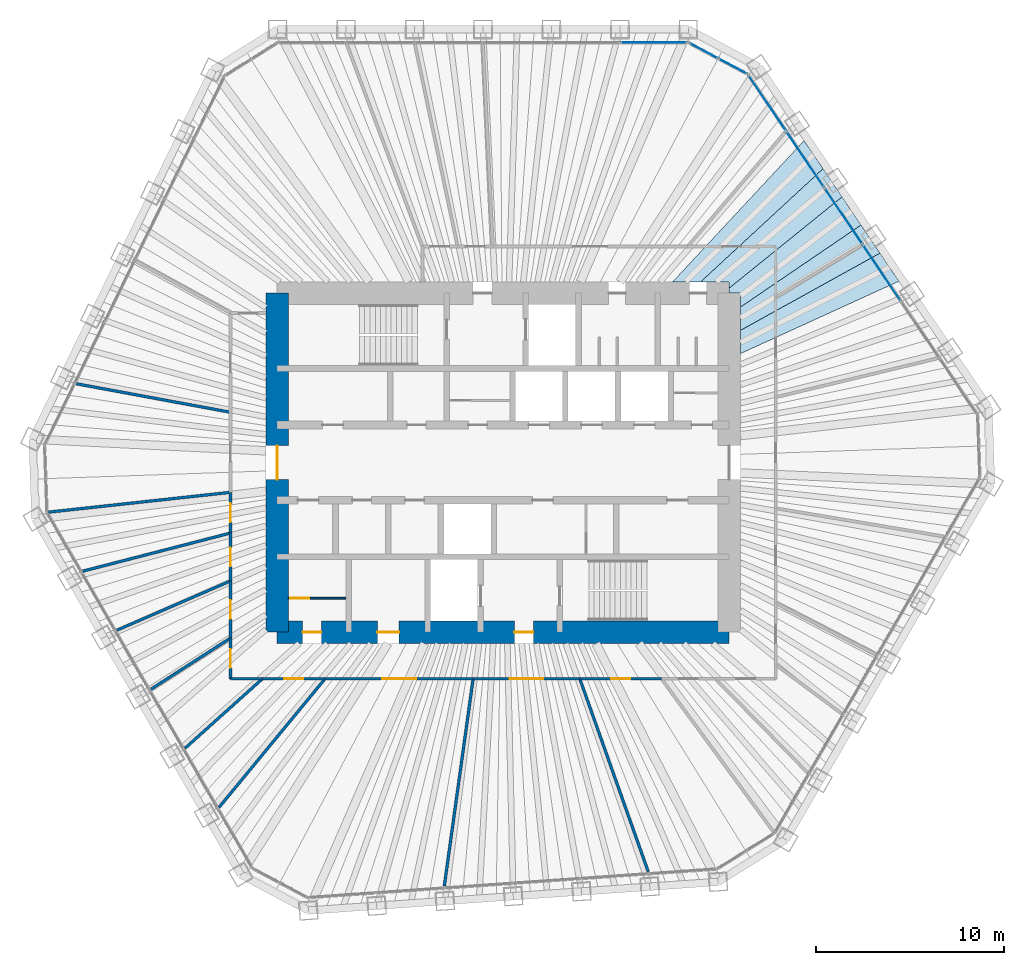
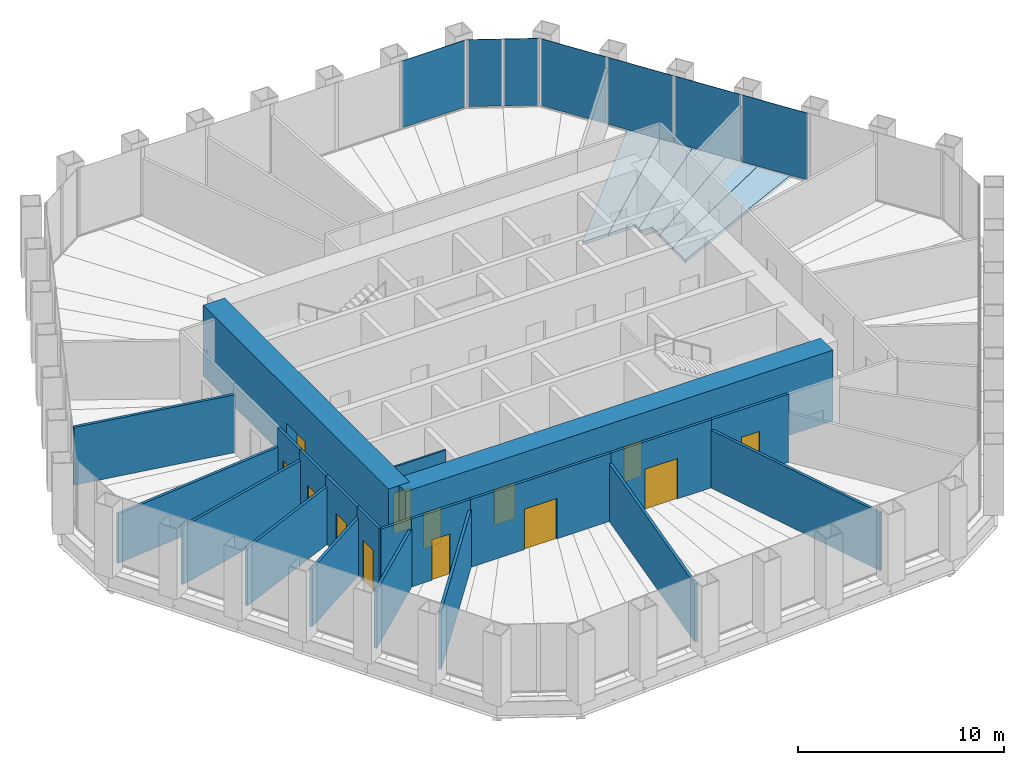
# One storey, part 10 of 14: 21 walls, 13 doors, 7 plates, 5 slabs, 13 openings, 3 elements without a shape of their own.
"""IFC4 building model written with IfcOpenShell, lengths in metres."""

from ifc_helpers import new_model, si_unit, direction, frame, frame_2d, origin, origin_2d, place, context, subcontext, project, spatial, polyline, rectangle, outline, extrude, material, layer, layer_set, type_object, element, fill, aggregate, save


model = new_model("IFC4")

# Units and contexts
model_context = context("Model", 3, precision=1e-05, world=origin(), true_north=direction((0.0, 1.0)))
body_context = subcontext(model_context, "Body", "Model", "MODEL_VIEW")
ifc_project = project(units=[si_unit("LENGTHUNIT", "METRE"), si_unit("AREAUNIT", "SQUARE_METRE"), si_unit("VOLUMEUNIT", "CUBIC_METRE"), si_unit("PLANEANGLEUNIT", "RADIAN"), si_unit("MASSUNIT", "GRAM", prefix="KILO")], contexts=[model_context])

# Site, building, storey
site_placement = place(None, origin())
site = spatial("IfcSite", under=ifc_project, at=site_placement, CompositionType="ELEMENT")
building_placement = place(site_placement, origin())
building = spatial("IfcBuilding", under=site, at=building_placement, Name="Qingtian Harvest Tower", CompositionType="ELEMENT")
storey_placement = place(building_placement, frame((0.0, 0.0, 235.0)))
storey = spatial("IfcBuildingStorey", under=building, at=storey_placement, Name="L51", CompositionType="ELEMENT", Elevation=235.0)

# Slabs
ifc_material_1 = material(Name="Concrete fc' 35 MPa", Category="concrete")
ifc_layer_1 = layer(ifc_material_1, 0.169921875)
ifc_layer_set_1 = layer_set([ifc_layer_1], Name="Composite floor slab FS17 170")
slab_type = type_object("IfcSlabType", Name="Composite floor slab FS17 170", PredefinedType="FLOOR", material=ifc_layer_set_1)
slab_1_placement = place(storey_placement, frame((0.0, 0.0, -0.169921875)))
element("IfcSlab", 1, at=slab_1_placement, inside=storey, type_object=slab_type, Name="Floor slab L51 panel D45", PredefinedType="FLOOR", context=body_context, shape_type="SweptSolid", body=[
    extrude(outline(polyline([(12.60009765625, 7.023681640625), (20.003662109375, 11.125244140625), (21.010986328125, 9.6318359375), (12.60009765625, 5.7900390625), (12.60009765625, 7.023681640625)])), origin(), (0.0, 0.0, 1.0), 0.169921875),
])
slab_2_placement = place(storey_placement, frame((0.0, 0.0, -0.169921875)))
element("IfcSlab", 2, at=slab_2_placement, inside=storey, type_object=slab_type, Name="Floor slab L51 panel D46", PredefinedType="FLOOR", context=body_context, shape_type="SweptSolid", body=[
    extrude(outline(polyline([(12.60009765625, 8.260498046875), (18.997802734375, 12.61669921875), (20.003662109375, 11.125244140625), (12.60009765625, 7.023681640625), (12.60009765625, 8.260498046875)])), origin(), (0.0, 0.0, 1.0), 0.169921875),
])
slab_3_placement = place(storey_placement, frame((0.0, 0.0, -0.169921875)))
element("IfcSlab", 3, at=slab_3_placement, inside=storey, type_object=slab_type, Name="Floor slab L51 panel D47", PredefinedType="FLOOR", context=body_context, shape_type="SweptSolid", body=[
    extrude(outline(polyline([(12.60009765625, 9.0), (12.0, 9.0), (12.0, 9.2666015625), (17.99072265625, 14.109375), (18.997802734375, 12.61669921875), (12.60009765625, 8.260498046875), (12.60009765625, 9.0)])), origin(), (0.0, 0.0, 1.0), 0.169921875),
])
slab_4_placement = place(storey_placement, frame((0.0, 0.0, -0.169921875)))
element("IfcSlab", 4, at=slab_4_placement, inside=storey, type_object=slab_type, Name="Floor slab L51 panel D48", PredefinedType="FLOOR", context=body_context, shape_type="SweptSolid", body=[
    extrude(outline(polyline([(12.0, 9.60009765625), (10.48583984375, 9.60009765625), (16.982177734375, 15.604736328125), (17.99072265625, 14.109375), (12.0, 9.2666015625), (12.0, 9.60009765625)])), origin(), (0.0, 0.0, 1.0), 0.169921875),
])
slab_5_placement = place(storey_placement, frame((0.0, 0.0, -0.169921875)))
element("IfcSlab", 5, at=slab_5_placement, inside=storey, type_object=slab_type, Name="Floor slab L51 panel D49", PredefinedType="FLOOR", context=body_context, shape_type="SweptSolid", body=[
    extrude(outline(polyline([(8.998291015625, 9.60009765625), (15.974853515625, 17.098388671875), (16.982177734375, 15.604736328125), (10.48583984375, 9.60009765625), (8.998291015625, 9.60009765625)])), origin(), (0.0, 0.0, 1.0), 0.169921875),
])

# Curtain wall, plate
ifc_material_2 = material(Name="Bronze-anodised aluminium curtain wall", Category="aluminium")
curtain_wall_type = type_object("IfcCurtainWallType", Name="Curtain wall CW4 office", PredefinedType="USERDEFINED", material=ifc_material_2)
curtain_wall_1_placement = place(storey_placement, origin())
curtain_wall_1 = element("IfcCurtainWall", 6, at=curtain_wall_1_placement, inside=storey, type_object=curtain_wall_type, Name="Curtain wall CW4 L51 N0-5", ObjectType="RECESSED CURTAIN WALL", PredefinedType="USERDEFINED")
ifc_material_3 = material(Name="Bronze-tinted laminated insulating glass", Category="glass")
ifc_layer_2 = layer(ifc_material_3, 0.030029296875)
ifc_layer_set_2 = layer_set([ifc_layer_2], Name="Glazed panel CWP tinted IGU")
plate_type = type_object("IfcPlateType", Name="Glazed panel CWP tinted IGU", PredefinedType="CURTAIN_PANEL", material=ifc_layer_set_2)
plate_1_placement = place(storey_placement, frame((7.996337890625, 22.300048828125, 0.06494140625), z_axis=(0.0, 0.0, 1.0), x_axis=(1.0, 0.0, 0.0)))
plate_1 = element("IfcPlate", 7, at=plate_1_placement, type_object=plate_type, Name="CW4 panel 6.1", PredefinedType="CURTAIN_PANEL", context=body_context, shape_type="SweptSolid", body=[
    extrude(rectangle(XDim=3.5361328125, YDim=0.030029296875, at=origin_2d()), origin(), (0.0, 0.0, 1.0), 3.965087890625),
])
aggregate(curtain_wall_1, [plate_1])

# Curtain wall, plates
curtain_wall_2_placement = place(storey_placement, origin())
curtain_wall_2 = element("IfcCurtainWall", 8, at=curtain_wall_2_placement, inside=storey, type_object=curtain_wall_type, Name="Curtain wall CW4 L51 NC", ObjectType="RECESSED CURTAIN WALL", PredefinedType="USERDEFINED")
plate_2_placement = place(storey_placement, frame((10.634033203125, 21.8720703125, 0.06494140625), z_axis=(0.0, 0.0, 1.0), x_axis=(0.882947592859, -0.469471562786, 0.0)))
plate_2 = element("IfcPlate", 9, at=plate_2_placement, type_object=plate_type, Name="CW4 panel 1.1", PredefinedType="CURTAIN_PANEL", context=body_context, shape_type="SweptSolid", body=[
    extrude(rectangle(XDim=1.69287109375, YDim=0.030029296875, at=origin_2d()), origin(), (0.0, 0.0, 1.0), 3.965087890625),
])
plate_3_placement = place(storey_placement, frame((12.186279296875, 21.046875, 0.06494140625), z_axis=(0.0, 0.0, 1.0), x_axis=(0.882947592859, -0.469471562786, 0.0)))
plate_3 = element("IfcPlate", 10, at=plate_3_placement, type_object=plate_type, Name="CW4 panel 2.1", PredefinedType="CURTAIN_PANEL", context=body_context, shape_type="SweptSolid", body=[
    extrude(rectangle(XDim=1.69287109375, YDim=0.030029296875, at=origin_2d()), origin(), (0.0, 0.0, 1.0), 3.965087890625),
])
aggregate(curtain_wall_2, [plate_2, plate_3])

curtain_wall_3_placement = place(storey_placement, origin())
curtain_wall_3 = element("IfcCurtainWall", 11, at=curtain_wall_3_placement, inside=storey, type_object=curtain_wall_type, Name="Curtain wall CW4 L51 NE0-5", ObjectType="RECESSED CURTAIN WALL", PredefinedType="USERDEFINED")
plate_4_placement = place(storey_placement, frame((14.01611328125, 19.09912109375, 0.06494140625), z_axis=(0.0, 0.0, 1.0), x_axis=(0.559192903471, -0.829037572555, 0.0)))
plate_4 = element("IfcPlate", 12, at=plate_4_placement, type_object=plate_type, Name="CW4 panel 1.1", PredefinedType="CURTAIN_PANEL", context=body_context, shape_type="SweptSolid", body=[
    extrude(rectangle(XDim=3.5361328125, YDim=0.030029296875, at=origin_2d()), origin(), (0.0, 0.0, 1.0), 3.965087890625),
])
plate_5_placement = place(storey_placement, frame((16.038818359375, 16.100341796875, 0.06494140625), z_axis=(0.0, 0.0, 1.0), x_axis=(0.559192903471, -0.829037572555, 0.0)))
plate_5 = element("IfcPlate", 13, at=plate_5_placement, type_object=plate_type, Name="CW4 panel 2.1", PredefinedType="CURTAIN_PANEL", context=body_context, shape_type="SweptSolid", body=[
    extrude(rectangle(XDim=3.568603515625, YDim=0.030029296875, at=origin_2d()), origin(), (0.0, 0.0, 1.0), 3.965087890625),
])
plate_6_placement = place(storey_placement, frame((18.07080078125, 13.087890625, 0.06494140625), z_axis=(0.0, 0.0, 1.0), x_axis=(0.559192903471, -0.829037572555, 0.0)))
plate_6 = element("IfcPlate", 14, at=plate_6_placement, type_object=plate_type, Name="CW4 panel 3.1", PredefinedType="CURTAIN_PANEL", context=body_context, shape_type="SweptSolid", body=[
    extrude(rectangle(XDim=3.568603515625, YDim=0.030029296875, at=origin_2d()), origin(), (0.0, 0.0, 1.0), 3.965087890625),
])
plate_7_placement = place(storey_placement, frame((20.1025390625, 10.07568359375, 0.06494140625), z_axis=(0.0, 0.0, 1.0), x_axis=(0.559192903471, -0.829037572555, 0.0)))
plate_7 = element("IfcPlate", 15, at=plate_7_placement, type_object=plate_type, Name="CW4 panel 4.1", PredefinedType="CURTAIN_PANEL", context=body_context, shape_type="SweptSolid", body=[
    extrude(rectangle(XDim=3.568603515625, YDim=0.030029296875, at=origin_2d()), origin(), (0.0, 0.0, 1.0), 3.965087890625),
])
aggregate(curtain_wall_3, [plate_4, plate_5, plate_6, plate_7])

# Wall, openings, doors
ifc_material_4 = material(Name="Concrete fc' 70 MPa", Category="concrete")
ifc_layer_3 = layer(ifc_material_4, 1.199951171875)
ifc_layer_set_3 = layer_set([ifc_layer_3], Name="Core wall RC2 1200")
wall_type_1 = type_object("IfcWallType", Name="Core wall RC2 1200", PredefinedType="SHEAR", material=ifc_layer_set_3)
wall_1_placement = place(storey_placement, frame((-12.0, -9.0, 0.0), z_axis=(0.0, 0.0, 1.0), x_axis=(1.0, 0.0, 0.0)))
wall_1 = element("IfcWall", 16, at=wall_1_placement, inside=storey, type_object=wall_type_1, Name="Core wall CS L51", PredefinedType="SHEAR", context=body_context, shape_type="SweptSolid", body=[
    extrude(rectangle(XDim=24.0, YDim=1.199951171875, at=frame_2d((12.0, 0.0))), origin(), (0.0, 0.0, 1.0), 4.199951171875),
])
opening_1_placement = place(wall_1_placement, frame((1.35009765625, 0.0, 0.0)))
opening_1 = element("IfcOpeningElement", 17, at=opening_1_placement, cuts=wall_1, Name="Opening FD1", PredefinedType="OPENING", context=body_context, shape_type="SweptSolid", body=[
    extrude(rectangle(XDim=1.0, YDim=2.10009765625, at=frame_2d((0.5, 1.050048828125))), frame((0.0, 0.60986328125, 0.0), z_axis=(0.0, -1.0, 0.0), x_axis=(1.0, 0.0, 0.0)), (0.0, 0.0, 1.0), 1.219970703125),
])
opening_2_placement = place(wall_1_placement, frame((5.324951171875, 0.0, 0.0)))
opening_2 = element("IfcOpeningElement", 18, at=opening_2_placement, cuts=wall_1, Name="Opening AD1", PredefinedType="OPENING", context=body_context, shape_type="SweptSolid", body=[
    extrude(rectangle(XDim=1.14990234375, YDim=2.10009765625, at=frame_2d((0.574951171875, 1.050048828125))), frame((0.0, 0.60986328125, 0.0), z_axis=(0.0, -1.0, 0.0), x_axis=(1.0, 0.0, 0.0)), (0.0, 0.0, 1.0), 1.219970703125),
])
opening_3_placement = place(wall_1_placement, frame((12.60009765625, 0.0, 0.0)))
opening_3 = element("IfcOpeningElement", 19, at=opening_3_placement, cuts=wall_1, Name="Opening FD1", PredefinedType="OPENING", context=body_context, shape_type="SweptSolid", body=[
    extrude(rectangle(XDim=1.0, YDim=2.10009765625, at=frame_2d((0.5, 1.050048828125))), frame((0.0, 0.60986328125, 0.0), z_axis=(0.0, -1.0, 0.0), x_axis=(1.0, 0.0, 0.0)), (0.0, 0.0, 1.0), 1.219970703125),
])
ifc_material_5 = material(Name="Laminated timber door leaf", Category="wood")
door_type_1 = type_object("IfcDoorType", Name="Accessible WC door AD1 single", OperationType="SINGLE_SWING_LEFT", PredefinedType="DOOR", material=ifc_material_5)
door_1_placement = place(opening_2_placement, origin())
door_1 = element("IfcDoor", 20, at=door_1_placement, inside=storey, type_object=door_type_1, Name="AWC door L51", OperationType="SINGLE_SWING_LEFT", OverallHeight=2.10009765625, OverallWidth=1.14990234375, PredefinedType="DOOR", context=body_context, shape_type="SweptSolid", body=[
    extrude(rectangle(XDim=1.14990234375, YDim=2.10009765625, at=frame_2d((0.574951171875, 1.050048828125))), frame((0.0, 0.02490234375, 0.0), z_axis=(0.0, -1.0, 0.0), x_axis=(1.0, 0.0, 0.0)), (0.0, 0.0, 1.0), 0.050048828125),
])
fill(opening_2, door_1)
ifc_material_6 = material(Name="Steel-faced door leaf", Category="steel")
door_type_2 = type_object("IfcDoorType", Name="Fire door FD1 single 1 HR", OperationType="SINGLE_SWING_LEFT", PredefinedType="DOOR", material=ifc_material_6)
door_2_placement = place(opening_1_placement, origin())
door_2 = element("IfcDoor", 21, at=door_2_placement, inside=storey, type_object=door_type_2, Name="CLN door L51", OperationType="SINGLE_SWING_LEFT", OverallHeight=2.10009765625, OverallWidth=1.0, PredefinedType="DOOR", context=body_context, shape_type="SweptSolid", body=[
    extrude(rectangle(XDim=1.0, YDim=2.10009765625, at=frame_2d((0.5, 1.050048828125))), frame((0.0, 0.02490234375, 0.0), z_axis=(0.0, -1.0, 0.0), x_axis=(1.0, 0.0, 0.0)), (0.0, 0.0, 1.0), 0.050048828125),
])
fill(opening_1, door_2)
door_3_placement = place(opening_3_placement, origin())
door_3 = element("IfcDoor", 22, at=door_3_placement, inside=storey, type_object=door_type_2, Name="V2 door L51", OperationType="SINGLE_SWING_LEFT", OverallHeight=2.10009765625, OverallWidth=1.0, PredefinedType="DOOR", context=body_context, shape_type="SweptSolid", body=[
    extrude(rectangle(XDim=1.0, YDim=2.10009765625, at=frame_2d((0.5, 1.050048828125))), frame((0.0, 0.02490234375, 0.0), z_axis=(0.0, -1.0, 0.0), x_axis=(1.0, 0.0, 0.0)), (0.0, 0.0, 1.0), 0.050048828125),
])
fill(opening_3, door_3)

# Wall, opening, door
wall_2_placement = place(storey_placement, frame((-12.0, -9.0, 0.0), z_axis=(0.0, 0.0, 1.0), x_axis=(0.0, 1.0, 0.0)))
wall_2 = element("IfcWall", 23, at=wall_2_placement, inside=storey, type_object=wall_type_1, Name="Core wall CW L51", PredefinedType="SHEAR", context=body_context, shape_type="SweptSolid", body=[
    extrude(rectangle(XDim=18.0, YDim=1.199951171875, at=frame_2d((9.0, 0.0))), origin(), (0.0, 0.0, 1.0), 4.199951171875),
])
opening_4_placement = place(wall_2_placement, frame((8.10009765625, 0.0, 0.0)))
opening_4 = element("IfcOpeningElement", 24, at=opening_4_placement, cuts=wall_2, Name="Opening FD2", PredefinedType="OPENING", context=body_context, shape_type="SweptSolid", body=[
    extrude(rectangle(XDim=1.800048828125, YDim=2.10009765625, at=frame_2d((0.89990234375, 1.050048828125))), frame((0.0, 0.60986328125, 0.0), z_axis=(0.0, -1.0, 0.0), x_axis=(1.0, 0.0, 0.0)), (0.0, 0.0, 1.0), 1.219970703125),
])
ifc_material_7 = material(Name="Steel-faced door leaf", Category="steel")
door_type_3 = type_object("IfcDoorType", Name="Fire door FD2 double 1 HR", OperationType="DOUBLE_DOOR_DOUBLE_SWING", PredefinedType="DOOR", material=ifc_material_7)
door_4_placement = place(opening_4_placement, origin())
door_4 = element("IfcDoor", 25, at=door_4_placement, inside=storey, type_object=door_type_3, Name="LOBBY-W door L51", OperationType="DOUBLE_DOOR_DOUBLE_SWING", OverallHeight=2.10009765625, OverallWidth=1.800048828125, PredefinedType="DOOR", context=body_context, shape_type="SweptSolid", body=[
    extrude(rectangle(XDim=1.800048828125, YDim=2.10009765625, at=frame_2d((0.89990234375, 1.050048828125))), frame((0.0, 0.02490234375, 0.0), z_axis=(0.0, -1.0, 0.0), x_axis=(1.0, 0.0, 0.0)), (0.0, 0.0, 1.0), 0.050048828125),
])
fill(opening_4, door_4)

# Wall
ifc_material_8 = material(Name="Gypsum board on steel studs", Category="steel")
ifc_layer_4 = layer(ifc_material_8, 0.14990234375)
ifc_layer_set_4 = layer_set([ifc_layer_4], Name="Partition PT1 150")
wall_type_2 = type_object("IfcWallType", Name="Partition PT1 150", PredefinedType="PARTITIONING", material=ifc_layer_set_4)
wall_3_placement = place(storey_placement, frame((-15.07958984375, -18.294189453125, 0.0), z_axis=(0.0, 0.0, 1.0), x_axis=(0.636052894953, 0.771645459277, 0.0)))
element("IfcWall", 26, at=wall_3_placement, inside=storey, type_object=wall_type_2, Name="Private office wall L51", PredefinedType="PARTITIONING", context=body_context, shape_type="SweptSolid", body=[
    extrude(rectangle(XDim=8.837158203125, YDim=0.14990234375, at=frame_2d((4.41845703125, 0.0))), origin(), (0.0, 0.0, 1.0), 3.429931640625),
])

# Wall, opening, door
wall_4_placement = place(storey_placement, frame((-9.458740234375, -11.47509765625, 0.0), z_axis=(0.0, 0.0, 1.0), x_axis=(-1.0, 0.0, 0.0)))
wall_4 = element("IfcWall", 27, at=wall_4_placement, inside=storey, type_object=wall_type_2, Name="Private office wall L51", PredefinedType="PARTITIONING", context=body_context, shape_type="SweptSolid", body=[
    extrude(rectangle(XDim=3.32421875, YDim=0.14990234375, at=frame_2d((1.662109375, 0.0))), origin(), (0.0, 0.0, 1.0), 4.030029296875),
])
opening_5_placement = place(wall_4_placement, frame((1.162109375, 0.0, 0.0)))
opening_5 = element("IfcOpeningElement", 28, at=opening_5_placement, cuts=wall_4, Name="Opening D2", PredefinedType="OPENING", context=body_context, shape_type="SweptSolid", body=[
    extrude(rectangle(XDim=1.0, YDim=2.39990234375, at=frame_2d((0.5, 1.199951171875))), frame((0.0, 0.0849609375, 0.0), z_axis=(0.0, -1.0, 0.0), x_axis=(1.0, 0.0, 0.0)), (0.0, 0.0, 1.0), 0.169921875),
])
ifc_material_9 = material(Name="Laminated timber door leaf", Category="wood")
door_type_4 = type_object("IfcDoorType", Name="Room door D2 single", OperationType="SINGLE_SWING_LEFT", PredefinedType="DOOR", material=ifc_material_9)
door_5_placement = place(opening_5_placement, origin())
door_5 = element("IfcDoor", 29, at=door_5_placement, inside=storey, type_object=door_type_4, Name="Private office door L51", OperationType="SINGLE_SWING_LEFT", OverallHeight=2.39990234375, OverallWidth=1.0, PredefinedType="DOOR", context=body_context, shape_type="SweptSolid", body=[
    extrude(rectangle(XDim=1.0, YDim=2.39990234375, at=frame_2d((0.5, 1.199951171875))), frame((0.0, 0.02490234375, 0.0), z_axis=(0.0, -1.0, 0.0), x_axis=(1.0, 0.0, 0.0)), (0.0, 0.0, 1.0), 0.050048828125),
])
fill(opening_5, door_5)

# Walls
wall_5_placement = place(storey_placement, frame((-16.885498046875, -15.15771484375, 0.0), z_axis=(0.0, 0.0, 1.0), x_axis=(0.744165513773, 0.667995275515, 0.0)))
element("IfcWall", 30, at=wall_5_placement, inside=storey, type_object=wall_type_2, Name="Private office wall L51", PredefinedType="PARTITIONING", context=body_context, shape_type="SweptSolid", body=[
    extrude(rectangle(XDim=5.512939453125, YDim=0.14990234375, at=frame_2d((2.75634765625, 0.0))), origin(), (0.0, 0.0, 1.0), 3.429931640625),
])
wall_6_placement = place(storey_placement, frame((-12.782958984375, -11.47509765625, 0.0), z_axis=(0.0, 0.0, 1.0), x_axis=(-1.0, 0.0, 0.0)))
element("IfcWall", 31, at=wall_6_placement, inside=storey, type_object=wall_type_2, Name="Private office wall L51", PredefinedType="PARTITIONING", context=body_context, shape_type="SweptSolid", body=[
    extrude(rectangle(XDim=1.692138671875, YDim=0.14990234375, at=frame_2d((0.84619140625, 0.0))), origin(), (0.0, 0.0, 1.0), 4.030029296875),
])

# Wall, opening, door
wall_7_placement = place(storey_placement, frame((-14.47509765625, -11.47509765625, 0.0), z_axis=(0.0, 0.0, 1.0), x_axis=(0.0, 1.0, 0.0)))
wall_7 = element("IfcWall", 32, at=wall_7_placement, inside=storey, type_object=wall_type_2, Name="Private office wall L51", PredefinedType="PARTITIONING", context=body_context, shape_type="SweptSolid", body=[
    extrude(rectangle(XDim=2.164306640625, YDim=0.14990234375, at=frame_2d((1.08203125, 0.0))), origin(), (0.0, 0.0, 1.0), 4.030029296875),
])
opening_6_placement = place(wall_7_placement, frame((0.58203125, 0.0, 0.0)))
opening_6 = element("IfcOpeningElement", 33, at=opening_6_placement, cuts=wall_7, Name="Opening D2", PredefinedType="OPENING", context=body_context, shape_type="SweptSolid", body=[
    extrude(rectangle(XDim=1.0, YDim=2.39990234375, at=frame_2d((0.5, 1.199951171875))), frame((0.0, 0.0849609375, 0.0), z_axis=(0.0, -1.0, 0.0), x_axis=(1.0, 0.0, 0.0)), (0.0, 0.0, 1.0), 0.169921875),
])
door_6_placement = place(opening_6_placement, origin())
door_6 = element("IfcDoor", 34, at=door_6_placement, inside=storey, type_object=door_type_4, Name="Private office door L51", OperationType="SINGLE_SWING_RIGHT", OverallHeight=2.39990234375, OverallWidth=1.0, PredefinedType="DOOR", context=body_context, shape_type="SweptSolid", body=[
    extrude(rectangle(XDim=1.0, YDim=2.39990234375, at=frame_2d((0.5, 1.199951171875))), frame((0.0, 0.02490234375, 0.0), z_axis=(0.0, -1.0, 0.0), x_axis=(1.0, 0.0, 0.0)), (0.0, 0.0, 1.0), 0.050048828125),
])
fill(opening_6, door_6)

# Wall
wall_8_placement = place(storey_placement, frame((-18.692626953125, -12.023681640625, 0.0), z_axis=(0.0, 0.0, 1.0), x_axis=(0.841031335058, 0.540986407824, 0.0)))
element("IfcWall", 35, at=wall_8_placement, inside=storey, type_object=wall_type_2, Name="Private office wall L51", PredefinedType="PARTITIONING", context=body_context, shape_type="SweptSolid", body=[
    extrude(rectangle(XDim=5.0146484375, YDim=0.14990234375, at=frame_2d((2.50732421875, 0.0))), origin(), (0.0, 0.0, 1.0), 3.429931640625),
])

# Wall, opening, door
wall_9_placement = place(storey_placement, frame((-14.47509765625, -9.310791015625, 0.0), z_axis=(0.0, 0.0, 1.0), x_axis=(0.0, 1.0, 0.0)))
wall_9 = element("IfcWall", 36, at=wall_9_placement, inside=storey, type_object=wall_type_2, Name="Private office wall L51", PredefinedType="PARTITIONING", context=body_context, shape_type="SweptSolid", body=[
    extrude(rectangle(XDim=3.033203125, YDim=0.14990234375, at=frame_2d((1.5166015625, 0.0))), origin(), (0.0, 0.0, 1.0), 4.030029296875),
])
opening_7_placement = place(wall_9_placement, frame((1.0166015625, 0.0, 0.0)))
opening_7 = element("IfcOpeningElement", 37, at=opening_7_placement, cuts=wall_9, Name="Opening D2", PredefinedType="OPENING", context=body_context, shape_type="SweptSolid", body=[
    extrude(rectangle(XDim=1.0, YDim=2.39990234375, at=frame_2d((0.5, 1.199951171875))), frame((0.0, 0.0849609375, 0.0), z_axis=(0.0, -1.0, 0.0), x_axis=(1.0, 0.0, 0.0)), (0.0, 0.0, 1.0), 0.169921875),
])
door_7_placement = place(opening_7_placement, origin())
door_7 = element("IfcDoor", 38, at=door_7_placement, inside=storey, type_object=door_type_4, Name="Private office door L51", OperationType="SINGLE_SWING_RIGHT", OverallHeight=2.39990234375, OverallWidth=1.0, PredefinedType="DOOR", context=body_context, shape_type="SweptSolid", body=[
    extrude(rectangle(XDim=1.0, YDim=2.39990234375, at=frame_2d((0.5, 1.199951171875))), frame((0.0, 0.02490234375, 0.0), z_axis=(0.0, -1.0, 0.0), x_axis=(1.0, 0.0, 0.0)), (0.0, 0.0, 1.0), 0.050048828125),
])
fill(opening_7, door_7)

# Wall
wall_10_placement = place(storey_placement, frame((-20.501708984375, -8.891357421875, 0.0), z_axis=(0.0, 0.0, 1.0), x_axis=(0.917431289744, 0.397894242982, 0.0)))
element("IfcWall", 39, at=wall_10_placement, inside=storey, type_object=wall_type_2, Name="Private office wall L51", PredefinedType="PARTITIONING", context=body_context, shape_type="SweptSolid", body=[
    extrude(rectangle(XDim=6.569091796875, YDim=0.14990234375, at=frame_2d((3.28466796875, 0.0))), origin(), (0.0, 0.0, 1.0), 3.429931640625),
])

# Wall, opening, door
wall_11_placement = place(storey_placement, frame((-14.47509765625, -6.277587890625, 0.0), z_axis=(0.0, 0.0, 1.0), x_axis=(0.0, 1.0, 0.0)))
wall_11 = element("IfcWall", 40, at=wall_11_placement, inside=storey, type_object=wall_type_2, Name="Private office wall L51", PredefinedType="PARTITIONING", context=body_context, shape_type="SweptSolid", body=[
    extrude(rectangle(XDim=2.54150390625, YDim=0.14990234375, at=frame_2d((1.270751953125, 0.0))), origin(), (0.0, 0.0, 1.0), 4.030029296875),
])
opening_8_placement = place(wall_11_placement, frame((0.770751953125, 0.0, 0.0)))
opening_8 = element("IfcOpeningElement", 41, at=opening_8_placement, cuts=wall_11, Name="Opening D2", PredefinedType="OPENING", context=body_context, shape_type="SweptSolid", body=[
    extrude(rectangle(XDim=1.0, YDim=2.39990234375, at=frame_2d((0.5, 1.199951171875))), frame((0.0, 0.0849609375, 0.0), z_axis=(0.0, -1.0, 0.0), x_axis=(1.0, 0.0, 0.0)), (0.0, 0.0, 1.0), 0.169921875),
])
door_8_placement = place(opening_8_placement, origin())
door_8 = element("IfcDoor", 42, at=door_8_placement, inside=storey, type_object=door_type_4, Name="Private office door L51", OperationType="SINGLE_SWING_RIGHT", OverallHeight=2.39990234375, OverallWidth=1.0, PredefinedType="DOOR", context=body_context, shape_type="SweptSolid", body=[
    extrude(rectangle(XDim=1.0, YDim=2.39990234375, at=frame_2d((0.5, 1.199951171875))), frame((0.0, 0.02490234375, 0.0), z_axis=(0.0, -1.0, 0.0), x_axis=(1.0, 0.0, 0.0)), (0.0, 0.0, 1.0), 0.050048828125),
])
fill(opening_8, door_8)

# Wall
wall_12_placement = place(storey_placement, frame((-22.3134765625, -5.75927734375, 0.0), z_axis=(0.0, 0.0, 1.0), x_axis=(0.968265788926, 0.249922712042, 0.0)))
element("IfcWall", 43, at=wall_12_placement, inside=storey, type_object=wall_type_2, Name="Private office wall L51", PredefinedType="PARTITIONING", context=body_context, shape_type="SweptSolid", body=[
    extrude(rectangle(XDim=8.09521484375, YDim=0.14990234375, at=frame_2d((4.047607421875, 0.0))), origin(), (0.0, 0.0, 1.0), 3.429931640625),
])

# Wall, opening, door
wall_13_placement = place(storey_placement, frame((-14.47509765625, -3.736083984375, 0.0), z_axis=(0.0, 0.0, 1.0), x_axis=(0.0, 1.0, 0.0)))
wall_13 = element("IfcWall", 44, at=wall_13_placement, inside=storey, type_object=wall_type_2, Name="Private office wall L51", PredefinedType="PARTITIONING", context=body_context, shape_type="SweptSolid", body=[
    extrude(rectangle(XDim=2.16015625, YDim=0.14990234375, at=frame_2d((1.080078125, 0.0))), origin(), (0.0, 0.0, 1.0), 4.030029296875),
])
opening_9_placement = place(wall_13_placement, frame((0.580078125, 0.0, 0.0)))
opening_9 = element("IfcOpeningElement", 45, at=opening_9_placement, cuts=wall_13, Name="Opening D2", PredefinedType="OPENING", context=body_context, shape_type="SweptSolid", body=[
    extrude(rectangle(XDim=1.0, YDim=2.39990234375, at=frame_2d((0.5, 1.199951171875))), frame((0.0, 0.0849609375, 0.0), z_axis=(0.0, -1.0, 0.0), x_axis=(1.0, 0.0, 0.0)), (0.0, 0.0, 1.0), 0.169921875),
])
door_9_placement = place(opening_9_placement, origin())
door_9 = element("IfcDoor", 46, at=door_9_placement, inside=storey, type_object=door_type_4, Name="Private office door L51", OperationType="SINGLE_SWING_RIGHT", OverallHeight=2.39990234375, OverallWidth=1.0, PredefinedType="DOOR", context=body_context, shape_type="SweptSolid", body=[
    extrude(rectangle(XDim=1.0, YDim=2.39990234375, at=frame_2d((0.5, 1.199951171875))), frame((0.0, 0.02490234375, 0.0), z_axis=(0.0, -1.0, 0.0), x_axis=(1.0, 0.0, 0.0)), (0.0, 0.0, 1.0), 0.050048828125),
])
fill(opening_9, door_9)

# Walls
wall_14_placement = place(storey_placement, frame((-24.127685546875, -2.626708984375, 0.0), z_axis=(0.0, 0.0, 1.0), x_axis=(0.994126892449, 0.108220708326, 0.0)))
element("IfcWall", 47, at=wall_14_placement, inside=storey, type_object=wall_type_2, Name="Private office wall L51", PredefinedType="PARTITIONING", context=body_context, shape_type="SweptSolid", body=[
    extrude(rectangle(XDim=9.709716796875, YDim=0.14990234375, at=frame_2d((4.85498046875, 0.0))), origin(), (0.0, 0.0, 1.0), 2.929931640625),
])
wall_15_placement = place(storey_placement, frame((-22.660888671875, 4.188720703125, 0.0), z_axis=(0.0, 0.0, 1.0), x_axis=(0.983345347199, -0.181746879316, 0.0)))
element("IfcWall", 48, at=wall_15_placement, inside=storey, type_object=wall_type_2, Name="Meeting room wall L51", PredefinedType="PARTITIONING", context=body_context, shape_type="SweptSolid", body=[
    extrude(rectangle(XDim=8.324462890625, YDim=0.14990234375, at=frame_2d((4.162109375, 0.0))), origin(), (0.0, 0.0, 1.0), 3.429931640625),
])

# Wall, opening, door
wall_16_placement = place(storey_placement, frame((8.402587890625, -11.47509765625, 0.0), z_axis=(0.0, 0.0, 1.0), x_axis=(-1.0, 0.0, 0.0)))
wall_16 = element("IfcWall", 49, at=wall_16_placement, inside=storey, type_object=wall_type_2, Name="Private office wall L51", PredefinedType="PARTITIONING", context=body_context, shape_type="SweptSolid", body=[
    extrude(rectangle(XDim=4.3330078125, YDim=0.14990234375, at=frame_2d((2.16650390625, 0.0))), origin(), (0.0, 0.0, 1.0), 4.030029296875),
])
opening_10_placement = place(wall_16_placement, frame((1.66650390625, 0.0, 0.0)))
opening_10 = element("IfcOpeningElement", 50, at=opening_10_placement, cuts=wall_16, Name="Opening D2", PredefinedType="OPENING", context=body_context, shape_type="SweptSolid", body=[
    extrude(rectangle(XDim=1.0, YDim=2.39990234375, at=frame_2d((0.5, 1.199951171875))), frame((0.0, 0.0849609375, 0.0), z_axis=(0.0, -1.0, 0.0), x_axis=(1.0, 0.0, 0.0)), (0.0, 0.0, 1.0), 0.169921875),
])
door_10_placement = place(opening_10_placement, origin())
door_10 = element("IfcDoor", 51, at=door_10_placement, inside=storey, type_object=door_type_4, Name="Private office door L51", OperationType="SINGLE_SWING_LEFT", OverallHeight=2.39990234375, OverallWidth=1.0, PredefinedType="DOOR", context=body_context, shape_type="SweptSolid", body=[
    extrude(rectangle(XDim=1.0, YDim=2.39990234375, at=frame_2d((0.5, 1.199951171875))), frame((0.0, 0.02490234375, 0.0), z_axis=(0.0, -1.0, 0.0), x_axis=(1.0, 0.0, 0.0)), (0.0, 0.0, 1.0), 0.050048828125),
])
fill(opening_10, door_10)

# Wall
wall_17_placement = place(storey_placement, frame((7.702880859375, -21.71923828125, 0.0), z_axis=(0.0, 0.0, 1.0), x_axis=(-0.334269551553, 0.942477515331, 0.0)))
element("IfcWall", 52, at=wall_17_placement, inside=storey, type_object=wall_type_2, Name="Training room wall L51", PredefinedType="PARTITIONING", context=body_context, shape_type="SweptSolid", body=[
    extrude(rectangle(XDim=10.869384765625, YDim=0.14990234375, at=frame_2d((5.4345703125, 0.0))), origin(), (0.0, 0.0, 1.0), 3.429931640625),
])

# Wall, opening, door
wall_18_placement = place(storey_placement, frame((4.069580078125, -11.47509765625, 0.0), z_axis=(0.0, 0.0, 1.0), x_axis=(-1.0, 0.0, 0.0)))
wall_18 = element("IfcWall", 53, at=wall_18_placement, inside=storey, type_object=wall_type_2, Name="Training room wall L51", PredefinedType="PARTITIONING", context=body_context, shape_type="SweptSolid", body=[
    extrude(rectangle(XDim=5.66455078125, YDim=0.14990234375, at=frame_2d((2.832275390625, 0.0))), origin(), (0.0, 0.0, 1.0), 4.030029296875),
])
opening_11_placement = place(wall_18_placement, frame((1.932373046875, 0.0, 0.0)))
opening_11 = element("IfcOpeningElement", 54, at=opening_11_placement, cuts=wall_18, Name="Opening D3", PredefinedType="OPENING", context=body_context, shape_type="SweptSolid", body=[
    extrude(rectangle(XDim=1.800048828125, YDim=2.39990234375, at=frame_2d((0.89990234375, 1.199951171875))), frame((0.0, 0.0849609375, 0.0), z_axis=(0.0, -1.0, 0.0), x_axis=(1.0, 0.0, 0.0)), (0.0, 0.0, 1.0), 0.169921875),
])
ifc_material_10 = material(Name="Laminated timber door leaf", Category="wood")
door_type_5 = type_object("IfcDoorType", Name="Room door D3 double", OperationType="DOUBLE_DOOR_DOUBLE_SWING", PredefinedType="DOOR", material=ifc_material_10)
door_11_placement = place(opening_11_placement, origin())
door_11 = element("IfcDoor", 55, at=door_11_placement, inside=storey, type_object=door_type_5, Name="Training room door L51", OperationType="DOUBLE_DOOR_DOUBLE_SWING", OverallHeight=2.39990234375, OverallWidth=1.800048828125, PredefinedType="DOOR", context=body_context, shape_type="SweptSolid", body=[
    extrude(rectangle(XDim=1.800048828125, YDim=2.39990234375, at=frame_2d((0.89990234375, 1.199951171875))), frame((0.0, 0.02490234375, 0.0), z_axis=(0.0, -1.0, 0.0), x_axis=(1.0, 0.0, 0.0)), (0.0, 0.0, 1.0), 0.050048828125),
])
fill(opening_11, door_11)

# Wall
wall_19_placement = place(storey_placement, frame((-3.1240234375, -22.474853515625, 0.0), z_axis=(0.0, 0.0, 1.0), x_axis=(0.137683997015, 0.990476207168, 0.0)))
element("IfcWall", 56, at=wall_19_placement, inside=storey, type_object=wall_type_2, Name="Workplace zone wall L51", PredefinedType="PARTITIONING", context=body_context, shape_type="SweptSolid", body=[
    extrude(rectangle(XDim=11.10546875, YDim=0.14990234375, at=frame_2d((5.552734375, 0.0))), origin(), (0.0, 0.0, 1.0), 3.429931640625),
])

# Wall, opening, door
wall_20_placement = place(storey_placement, frame((-1.594970703125, -11.47509765625, 0.0), z_axis=(0.0, 0.0, 1.0), x_axis=(-1.0, 0.0, 0.0)))
wall_20 = element("IfcWall", 57, at=wall_20_placement, inside=storey, type_object=wall_type_2, Name="Workplace zone wall L51", PredefinedType="PARTITIONING", context=body_context, shape_type="SweptSolid", body=[
    extrude(rectangle(XDim=7.86376953125, YDim=0.14990234375, at=frame_2d((3.931884765625, 0.0))), origin(), (0.0, 0.0, 1.0), 4.030029296875),
])
opening_12_placement = place(wall_20_placement, frame((3.03173828125, 0.0, 0.0)))
opening_12 = element("IfcOpeningElement", 58, at=opening_12_placement, cuts=wall_20, Name="Opening D3", PredefinedType="OPENING", context=body_context, shape_type="SweptSolid", body=[
    extrude(rectangle(XDim=1.800048828125, YDim=2.39990234375, at=frame_2d((0.89990234375, 1.199951171875))), frame((0.0, 0.0849609375, 0.0), z_axis=(0.0, -1.0, 0.0), x_axis=(1.0, 0.0, 0.0)), (0.0, 0.0, 1.0), 0.169921875),
])
door_12_placement = place(opening_12_placement, origin())
door_12 = element("IfcDoor", 59, at=door_12_placement, inside=storey, type_object=door_type_5, Name="Workplace zone door L51", OperationType="DOUBLE_DOOR_DOUBLE_SWING", OverallHeight=2.39990234375, OverallWidth=1.800048828125, PredefinedType="DOOR", context=body_context, shape_type="SweptSolid", body=[
    extrude(rectangle(XDim=1.800048828125, YDim=2.39990234375, at=frame_2d((0.89990234375, 1.199951171875))), frame((0.0, 0.02490234375, 0.0), z_axis=(0.0, -1.0, 0.0), x_axis=(1.0, 0.0, 0.0)), (0.0, 0.0, 1.0), 0.050048828125),
])
fill(opening_12, door_12)

ifc_material_11 = material(Name="Concrete block partition", Category="concrete")
ifc_layer_5 = layer(ifc_material_11, 0.10009765625)
ifc_layer_set_5 = layer_set([ifc_layer_5], Name="Store partition PT3 100")
wall_type_3 = type_object("IfcWallType", Name="Store partition PT3 100", PredefinedType="PARTITIONING", material=ifc_layer_set_5)
wall_21_placement = place(storey_placement, frame((-11.39990234375, -7.199951171875, 0.0), z_axis=(0.0, 0.0, 1.0), x_axis=(1.0, 0.0, 0.0)))
wall_21 = element("IfcWall", 60, at=wall_21_placement, inside=storey, type_object=wall_type_3, Name="Waste store wall L51", PredefinedType="PARTITIONING", context=body_context, shape_type="SweptSolid", body=[
    extrude(rectangle(XDim=3.0498046875, YDim=0.10009765625, at=frame_2d((1.52490234375, 0.0))), origin(), (0.0, 0.0, 1.0), 3.97998046875),
])
opening_13_placement = place(wall_21_placement, frame((0.10009765625, 0.0, 0.0)))
opening_13 = element("IfcOpeningElement", 61, at=opening_13_placement, cuts=wall_21, Name="Opening D2", PredefinedType="OPENING", context=body_context, shape_type="SweptSolid", body=[
    extrude(rectangle(XDim=1.0, YDim=2.39990234375, at=frame_2d((0.5, 1.199951171875))), frame((0.0, 0.06005859375, 0.0), z_axis=(0.0, -1.0, 0.0), x_axis=(1.0, 0.0, 0.0)), (0.0, 0.0, 1.0), 0.1201171875),
])
door_13_placement = place(opening_13_placement, origin())
door_13 = element("IfcDoor", 62, at=door_13_placement, inside=storey, type_object=door_type_4, Name="Waste store door L51", OperationType="SINGLE_SWING_RIGHT", OverallHeight=2.39990234375, OverallWidth=1.0, PredefinedType="DOOR", context=body_context, shape_type="SweptSolid", body=[
    extrude(rectangle(XDim=1.0, YDim=2.39990234375, at=frame_2d((0.5, 1.199951171875))), frame((0.0, 0.02490234375, 0.0), z_axis=(0.0, -1.0, 0.0), x_axis=(1.0, 0.0, 0.0)), (0.0, 0.0, 1.0), 0.050048828125),
])
fill(opening_13, door_13)

save(model, "model.ifc")
